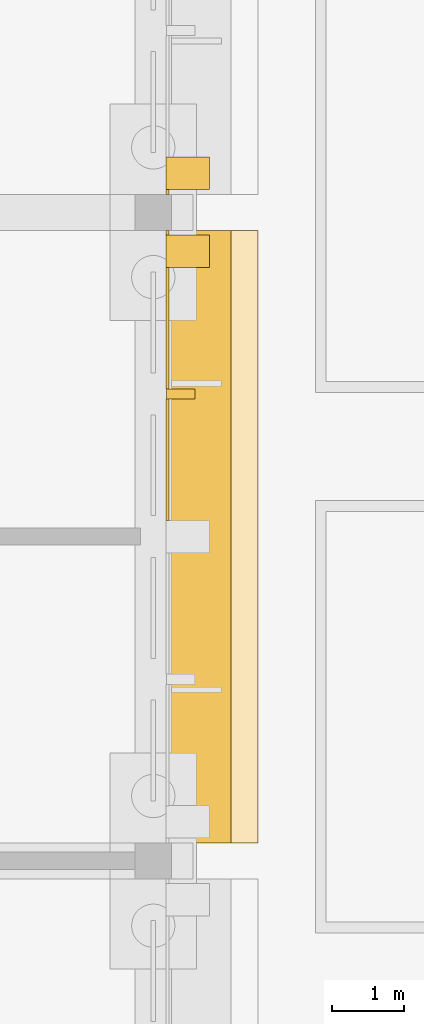
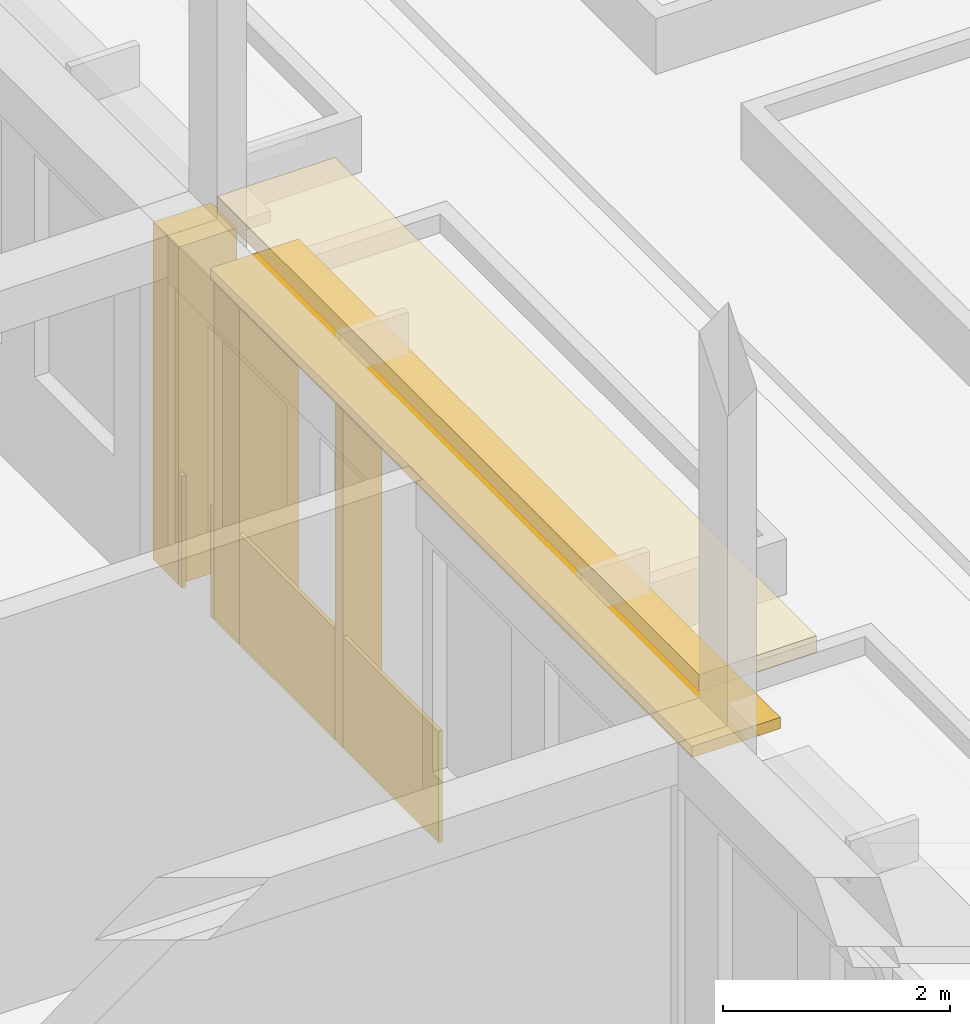
# One storey, part 106 of 161: 8 coverings, 1 shading device.
"""IFC4 building model written with IfcOpenShell, lengths in metres."""

from ifc_helpers import new_model, si_unit, direction, frame, origin, origin_2d, place, context, subcontext, project, spatial, rectangle, extrude, material, layer, layer_set, type_object, element, save


model = new_model("IFC4")

# Units and contexts
model_context = context("Model", 3, precision=1e-05, world=origin(), true_north=direction((0.0, 1.0)))
body_context = subcontext(model_context, "Body", "Model", "MODEL_VIEW")
ifc_project = project(units=[si_unit("LENGTHUNIT", "METRE"), si_unit("AREAUNIT", "SQUARE_METRE"), si_unit("VOLUMEUNIT", "CUBIC_METRE"), si_unit("PLANEANGLEUNIT", "RADIAN"), si_unit("MASSUNIT", "GRAM", prefix="KILO")], contexts=[model_context])

# Site, building, storey
site_placement = place(None, origin())
site = spatial("IfcSite", under=ifc_project, at=site_placement, CompositionType="ELEMENT")
building_placement = place(site_placement, origin())
building = spatial("IfcBuilding", under=site, at=building_placement, Name="Elbe Cascade School", CompositionType="ELEMENT")
storey_placement = place(building_placement, origin())
storey = spatial("IfcBuildingStorey", under=building, at=storey_placement, Name="L00", CompositionType="ELEMENT", Elevation=0.0)

# Shading device
ifc_material_1 = material(Name="Precast concrete C30/37", Category="concrete")
ifc_layer_1 = layer(ifc_material_1, 0.1201171875)
ifc_layer_set_1 = layer_set([ifc_layer_1], Name="Precast concrete C30/37")
shading_device_type = type_object("IfcShadingDeviceType", Name="Bars envelope Chhajja eave, precast concrete, 900 x 120", PredefinedType="USERDEFINED", material=ifc_layer_set_1)
shading_device_placement = place(storey_placement, frame((116.330078125, 28.5, 3.6298828125), z_axis=(0.0, 0.0, 1.0), x_axis=(0.0, 1.0, 0.0)))
element("IfcShadingDevice", 1, at=shading_device_placement, inside=storey, type_object=shading_device_type, Name="Chhajja eave SD2 B.L00.e3", ObjectType="CHHAJJA", PredefinedType="USERDEFINED", context=body_context, shape_type="SweptSolid", body=[
    extrude(rectangle(XDim=8.5, YDim=0.89990234375, at=origin_2d()), origin(), (0.0, 0.0, 1.0), 0.1201171875),
])

# Coverings
ifc_material_2 = material(Name="Precast concrete C40/50", Category="concrete")
covering_type_1 = type_object("IfcCoveringType", Name="Bars envelope Precast concrete fin, 140 wide, 400 deep", PredefinedType="CLADDING", material=ifc_material_2)
covering_1_placement = place(storey_placement, frame((116.080078125, 30.47998046875, 0.0), z_axis=(0.0, 0.0, 1.0), x_axis=(0.0, 1.0, 0.0)))
element("IfcCovering", 2, at=covering_1_placement, inside=storey, type_object=covering_type_1, Name="Fin CV56 B.L00.e3.5", PredefinedType="CLADDING", context=body_context, shape_type="SweptSolid", body=[
    extrude(rectangle(XDim=0.139892578125, YDim=0.39990234375, at=origin_2d()), origin(), (0.0, 0.0, 1.0), 3.6298828125),
])
ifc_material_3 = material(Name="Precast concrete C40/50", Category="concrete")
covering_type_2 = type_object("IfcCoveringType", Name="Bars envelope Precast concrete fin, 450 wide, 600 deep", PredefinedType="CLADDING", material=ifc_material_3)
for number, where, z_axis, x_axis, name in (
    (3, (116.179931640625, 32.4599609375, 0.0), (0.0, 0.0, 1.0), (0.0, 1.0, 0.0), "Fin CV55 B.L00.e3.3"),
    (4, (116.179931640625, 33.5400390625, 0.0), (0.0, 0.0, 1.0), (0.0, 1.0, 0.0), "Fin CV55 B.L00.e4.1"),
):
    element("IfcCovering", number, at=place(storey_placement, frame(where, z_axis=z_axis, x_axis=x_axis)), inside=storey, type_object=covering_type_2, Name=name, PredefinedType="CLADDING", context=body_context, shape_type="SweptSolid", body=[
        extrude(rectangle(XDim=0.449951171875, YDim=0.60009765625, at=origin_2d()), origin(), (0.0, 0.0, 1.0), 3.6298828125),
    ])
ifc_material_4 = material(Name="Sandstone - red", Category="masonry")
covering_type_3 = type_object("IfcCoveringType", Name="Bars envelope Sandstone chhajja slab, 1200 deep", PredefinedType="CLADDING", material=ifc_material_4)
covering_2_placement = place(storey_placement, frame((116.550048828125, 28.5, 4.31982421875), z_axis=(0.0, 0.0, 1.0), x_axis=(0.0, 1.0, 0.0)))
element("IfcCovering", 5, at=covering_2_placement, inside=storey, type_object=covering_type_3, Name="Chhajja slab CV61 B.L00.e2.1", PredefinedType="CLADDING", context=body_context, shape_type="SweptSolid", body=[
    extrude(rectangle(XDim=8.5, YDim=1.199951171875, at=origin_2d()), origin(), (0.0, 0.0, 1.0), 0.179931640625),
])
ifc_material_5 = material(Name="Sandstone - red", Category="masonry")
ifc_layer_2 = layer(ifc_material_5, 0.0400390625)
ifc_layer_set_2 = layer_set([ifc_layer_2], Name="Sandstone - red")
covering_type_4 = type_object("IfcCoveringType", Name="Bars envelope Sandstone cladding, red, 40 mm", PredefinedType="CLADDING", material=ifc_layer_set_2)
for number, where, z_axis, x_axis, name in (
    (6, (115.89990234375, 29.5673828125, 0.0), (0.0, 0.0, 1.0), (0.0, 1.0, 0.0), "Sandstone cladding CV48 B.L00.e.3.4"),
    (7, (115.89990234375, 31.392578125, 0.0), (0.0, 0.0, 1.0), (0.0, 1.0, 0.0), "Sandstone cladding CV48 B.L00.e.3.5"),
):
    element("IfcCovering", number, at=place(storey_placement, frame(where, z_axis=z_axis, x_axis=x_axis)), inside=storey, type_object=covering_type_4, Name=name, PredefinedType="CLADDING", context=body_context, shape_type="SweptSolid", body=[
        extrude(rectangle(XDim=1.68505859375, YDim=0.0400390625, at=origin_2d()), origin(), (0.0, 0.0, 1.0), 1.199951171875),
    ])
for number, where, z_axis, x_axis, name in (
    (8, (115.89990234375, 32.717529296875, 0.0), (0.0, 0.0, 1.0), (0.0, 1.0, 0.0), "Sandstone cladding CV48 B.L00.e.3.6"),
    (9, (115.89990234375, 33.282470703125, 0.0), (0.0, 0.0, 1.0), (0.0, 1.0, 0.0), "Sandstone cladding CV48 B.L00.e.4.1"),
):
    element("IfcCovering", number, at=place(storey_placement, frame(where, z_axis=z_axis, x_axis=x_axis)), inside=storey, type_object=covering_type_4, Name=name, PredefinedType="CLADDING", context=body_context, shape_type="SweptSolid", body=[
        extrude(rectangle(XDim=0.06494140625, YDim=0.0400390625, at=origin_2d()), origin(), (0.0, 0.0, 1.0), 1.199951171875),
    ])

save(model, "model.ifc")
